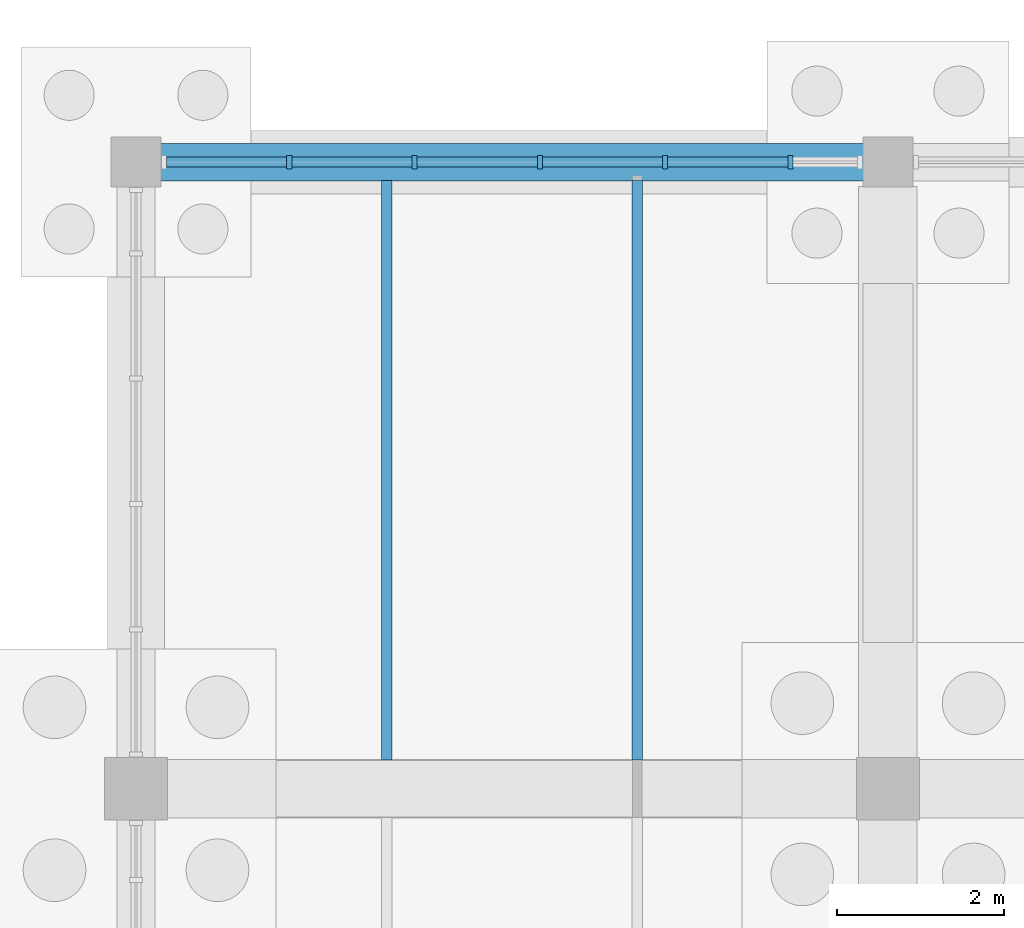
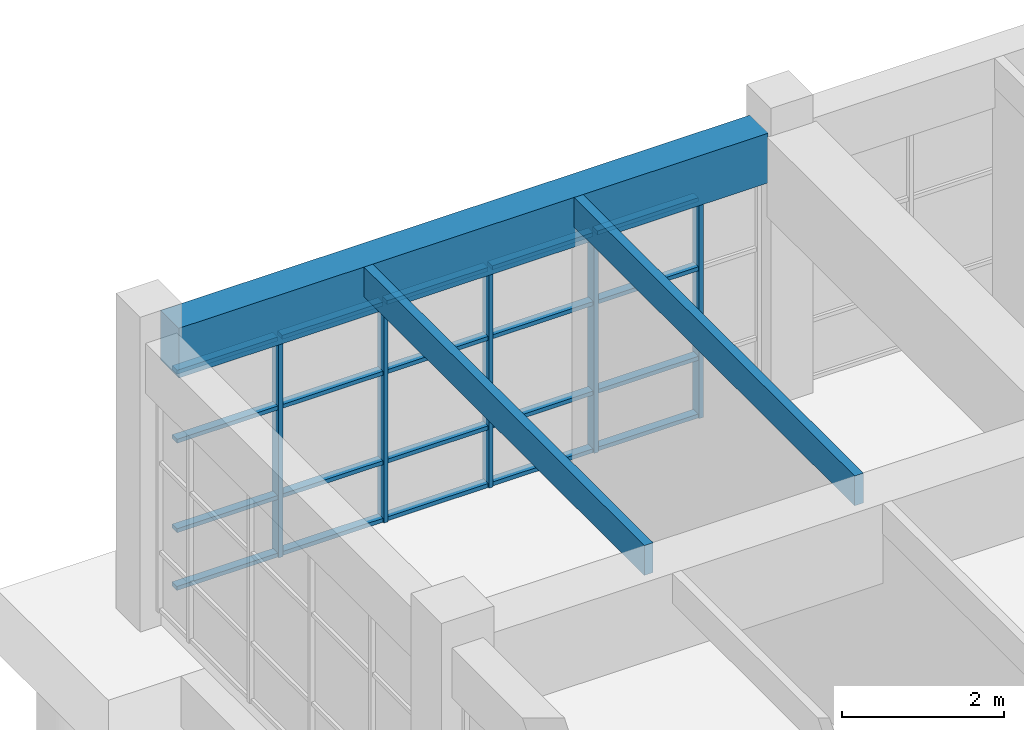
# One storey, part 32 of 93: 25 members, 3 beams, 1 element without a shape of its own.
"""IFC4 building model written with IfcOpenShell, lengths in metres."""

from ifc_helpers import new_model, si_unit, direction, frame, origin, origin_2d, place, context, subcontext, project, spatial, rectangle, extrude, material, layer, layer_set, material_profile, profile_set, type_object, element, aggregate, save


model = new_model("IFC4")

# Units and contexts
model_context = context("Model", 3, precision=1e-05, world=origin(), true_north=direction((0.0, 1.0)))
body_context = subcontext(model_context, "Body", "Model", "MODEL_VIEW")
ifc_project = project(units=[si_unit("LENGTHUNIT", "METRE"), si_unit("AREAUNIT", "SQUARE_METRE"), si_unit("VOLUMEUNIT", "CUBIC_METRE"), si_unit("PLANEANGLEUNIT", "RADIAN"), si_unit("MASSUNIT", "GRAM", prefix="KILO")], contexts=[model_context])

# Site, building, storey
site_placement = place(None, origin())
site = spatial("IfcSite", under=ifc_project, at=site_placement, CompositionType="ELEMENT")
building_placement = place(site_placement, origin())
building = spatial("IfcBuilding", under=site, at=building_placement, Name="Marnridge Secondary College", CompositionType="ELEMENT")
storey_placement = place(building_placement, origin())
storey = spatial("IfcBuildingStorey", under=building, at=storey_placement, Name="L00", CompositionType="ELEMENT", Elevation=0.0)

# Beams
ifc_material_1 = material(Name="Engineered timber LVL E13.2", Category="wood")
ifc_material_profile_1 = material_profile(ifc_material_1, rectangle(XDim=0.1259765625, YDim=0.449951171875, at=origin_2d()), Name="LVL 126x450")
ifc_profile_set_1 = profile_set([ifc_material_profile_1], Name="Engineered timber LVL E13.2")
beam_type_1 = type_object("IfcBeamType", Name="BM-LVL450-INT", PredefinedType="JOIST", material=ifc_profile_set_1)
for number, where, z_axis, x_axis, name in (
    (1, (57.0, 75.343994140625, 3.85498046875), (0.0, 1.0, 0.0), (-1.0, 0.0, 0.0), "Beam BJ-L00-0101"),
    (2, (60.0, 75.343994140625, 3.85498046875), (0.0, 1.0, 0.0), (-1.0, 0.0, 0.0), "Beam BJ-L00-0102"),
):
    element("IfcBeam", number, at=place(storey_placement, frame(where, z_axis=z_axis, x_axis=x_axis)), inside=storey, type_object=beam_type_1, Name=name, PredefinedType="JOIST", context=body_context, shape_type="SweptSolid", body=[
        extrude(rectangle(XDim=0.1259765625, YDim=0.449951171875, at=origin_2d()), origin(), (0.0, 0.0, 1.0), 6.93701171875),
    ])
ifc_material_2 = material(Name="Concrete C40/50 (AS 3600 N40, 40 MPa)", Category="concrete")
ifc_material_profile_2 = material_profile(ifc_material_2, rectangle(XDim=0.449951171875, YDim=0.75, at=origin_2d()), Name="RC 450x750")
ifc_profile_set_2 = profile_set([ifc_material_profile_2], Name="Concrete C40/50 (AS 3600 N40, 40 MPa)")
beam_type_2 = type_object("IfcBeamType", Name="BM-RC4575-EXT", PredefinedType="SPANDREL", material=ifc_profile_set_2)
beam_placement = place(storey_placement, frame((54.2939453125, 82.5, 3.705078125), z_axis=(1.0, 0.0, 0.0), x_axis=(0.0, 1.0, 0.0)))
element("IfcBeam", 3, at=beam_placement, inside=storey, type_object=beam_type_2, Name="Beam BS-L00-0051", PredefinedType="SPANDREL", context=body_context, shape_type="SweptSolid", body=[
    extrude(rectangle(XDim=0.449951171875, YDim=0.75, at=origin_2d()), origin(), (0.0, 0.0, 1.0), 8.412109375),
])

# Curtain wall, members
ifc_material_3 = material(Name="Thermally broken aluminium and low-E glazing", Category="aluminium")
ifc_layer = layer(ifc_material_3, 0.159912109375)
ifc_layer_set = layer_set([ifc_layer], Name="CW-MOD-1500")
curtain_wall_type = type_object("IfcCurtainWallType", Name="CW-MOD-1500", PredefinedType="NOTDEFINED", material=ifc_layer_set)
curtain_wall_placement = place(storey_placement, origin())
curtain_wall = element("IfcCurtainWall", 4, at=curtain_wall_placement, inside=storey, type_object=curtain_wall_type, Name="Unitised curtain wall CW-L00-001", PredefinedType="NOTDEFINED")
ifc_material_4 = material(Name="Anodised aluminium 6063-T6", Category="aluminium")
ifc_material_profile_3 = material_profile(ifc_material_4, rectangle(XDim=0.06005859375, YDim=0.159912109375, at=origin_2d()), Name="ALU 60x160")
ifc_profile_set_3 = profile_set([ifc_material_profile_3], Name="Anodised aluminium 6063-T6")
member_type_1 = type_object("IfcMemberType", Name="CWM-ALU160", PredefinedType="MULLION", material=ifc_profile_set_3)
member_1_placement = place(storey_placement, frame((55.833984375, 82.5, 0.0), z_axis=(0.0, 0.0, 1.0), x_axis=(1.0, 0.0, 0.0)))
member_1 = element("IfcMember", 5, at=member_1_placement, type_object=member_type_1, Name="CW-L00-001 mullion 2", PredefinedType="MULLION", context=body_context, shape_type="SweptSolid", body=[
    extrude(rectangle(XDim=0.06005859375, YDim=0.159912109375, at=origin_2d()), origin(), (0.0, 0.0, 1.0), 3.322021484375),
])
member_2_placement = place(storey_placement, frame((57.333984375, 82.5, 0.0), z_axis=(0.0, 0.0, 1.0), x_axis=(1.0, 0.0, 0.0)))
member_2 = element("IfcMember", 6, at=member_2_placement, type_object=member_type_1, Name="CW-L00-001 mullion 3", PredefinedType="MULLION", context=body_context, shape_type="SweptSolid", body=[
    extrude(rectangle(XDim=0.06005859375, YDim=0.159912109375, at=origin_2d()), origin(), (0.0, 0.0, 1.0), 3.322021484375),
])
member_3_placement = place(storey_placement, frame((58.833984375, 82.5, 0.0), z_axis=(0.0, 0.0, 1.0), x_axis=(1.0, 0.0, 0.0)))
member_3 = element("IfcMember", 7, at=member_3_placement, type_object=member_type_1, Name="CW-L00-001 mullion 4", PredefinedType="MULLION", context=body_context, shape_type="SweptSolid", body=[
    extrude(rectangle(XDim=0.06005859375, YDim=0.159912109375, at=origin_2d()), origin(), (0.0, 0.0, 1.0), 3.322021484375),
])
member_4_placement = place(storey_placement, frame((60.333984375, 82.5, 0.0), z_axis=(0.0, 0.0, 1.0), x_axis=(1.0, 0.0, 0.0)))
member_4 = element("IfcMember", 8, at=member_4_placement, type_object=member_type_1, Name="CW-L00-001 mullion 5", PredefinedType="MULLION", context=body_context, shape_type="SweptSolid", body=[
    extrude(rectangle(XDim=0.06005859375, YDim=0.159912109375, at=origin_2d()), origin(), (0.0, 0.0, 1.0), 3.322021484375),
])
member_5_placement = place(storey_placement, frame((61.833984375, 82.5, 0.0), z_axis=(0.0, 0.0, 1.0), x_axis=(1.0, 0.0, 0.0)))
member_5 = element("IfcMember", 9, at=member_5_placement, type_object=member_type_1, Name="CW-L00-001 mullion 6", PredefinedType="MULLION", context=body_context, shape_type="SweptSolid", body=[
    extrude(rectangle(XDim=0.06005859375, YDim=0.159912109375, at=origin_2d()), origin(), (0.0, 0.0, 1.0), 3.322021484375),
])
ifc_material_5 = material(Name="Anodised aluminium 6063-T6", Category="aluminium")
ifc_material_profile_4 = material_profile(ifc_material_5, rectangle(XDim=0.06005859375, YDim=0.1201171875, at=origin_2d()), Name="ALU 60x120")
ifc_profile_set_4 = profile_set([ifc_material_profile_4], Name="Anodised aluminium 6063-T6")
member_type_2 = type_object("IfcMemberType", Name="CWT-ALU120", PredefinedType="USERDEFINED", material=ifc_profile_set_4)
member_6_placement = place(storey_placement, frame((54.364013671875, 82.5, 0.030029296875), z_axis=(1.0, 0.0, 0.0), x_axis=(0.0, 0.0, 1.0)))
member_6 = element("IfcMember", 10, at=member_6_placement, type_object=member_type_2, Name="CW-L00-001 transom 1.1", ObjectType="TRANSOM", PredefinedType="USERDEFINED", context=body_context, shape_type="SweptSolid", body=[
    extrude(rectangle(XDim=0.06005859375, YDim=0.1201171875, at=origin_2d()), origin(), (0.0, 0.0, 1.0), 1.43994140625),
])
member_7_placement = place(storey_placement, frame((54.364013671875, 82.5, 0.89990234375), z_axis=(1.0, 0.0, 0.0), x_axis=(0.0, 0.0, 1.0)))
member_7 = element("IfcMember", 11, at=member_7_placement, type_object=member_type_2, Name="CW-L00-001 transom 1.2", ObjectType="TRANSOM", PredefinedType="USERDEFINED", context=body_context, shape_type="SweptSolid", body=[
    extrude(rectangle(XDim=0.06005859375, YDim=0.1201171875, at=origin_2d()), origin(), (0.0, 0.0, 1.0), 1.43994140625),
])
member_8_placement = place(storey_placement, frame((54.364013671875, 82.5, 2.25), z_axis=(1.0, 0.0, 0.0), x_axis=(0.0, 0.0, 1.0)))
member_8 = element("IfcMember", 12, at=member_8_placement, type_object=member_type_2, Name="CW-L00-001 transom 1.3", ObjectType="TRANSOM", PredefinedType="USERDEFINED", context=body_context, shape_type="SweptSolid", body=[
    extrude(rectangle(XDim=0.06005859375, YDim=0.1201171875, at=origin_2d()), origin(), (0.0, 0.0, 1.0), 1.43994140625),
])
member_9_placement = place(storey_placement, frame((54.364013671875, 82.5, 3.2919921875), z_axis=(1.0, 0.0, 0.0), x_axis=(0.0, 0.0, 1.0)))
member_9 = element("IfcMember", 13, at=member_9_placement, type_object=member_type_2, Name="CW-L00-001 transom 1.4", ObjectType="TRANSOM", PredefinedType="USERDEFINED", context=body_context, shape_type="SweptSolid", body=[
    extrude(rectangle(XDim=0.06005859375, YDim=0.1201171875, at=origin_2d()), origin(), (0.0, 0.0, 1.0), 1.43994140625),
])
member_10_placement = place(storey_placement, frame((55.864013671875, 82.5, 0.030029296875), z_axis=(1.0, 0.0, 0.0), x_axis=(0.0, 0.0, 1.0)))
member_10 = element("IfcMember", 14, at=member_10_placement, type_object=member_type_2, Name="CW-L00-001 transom 2.1", ObjectType="TRANSOM", PredefinedType="USERDEFINED", context=body_context, shape_type="SweptSolid", body=[
    extrude(rectangle(XDim=0.06005859375, YDim=0.1201171875, at=origin_2d()), origin(), (0.0, 0.0, 1.0), 1.43994140625),
])
member_11_placement = place(storey_placement, frame((55.864013671875, 82.5, 0.89990234375), z_axis=(1.0, 0.0, 0.0), x_axis=(0.0, 0.0, 1.0)))
member_11 = element("IfcMember", 15, at=member_11_placement, type_object=member_type_2, Name="CW-L00-001 transom 2.2", ObjectType="TRANSOM", PredefinedType="USERDEFINED", context=body_context, shape_type="SweptSolid", body=[
    extrude(rectangle(XDim=0.06005859375, YDim=0.1201171875, at=origin_2d()), origin(), (0.0, 0.0, 1.0), 1.43994140625),
])
member_12_placement = place(storey_placement, frame((55.864013671875, 82.5, 2.25), z_axis=(1.0, 0.0, 0.0), x_axis=(0.0, 0.0, 1.0)))
member_12 = element("IfcMember", 16, at=member_12_placement, type_object=member_type_2, Name="CW-L00-001 transom 2.3", ObjectType="TRANSOM", PredefinedType="USERDEFINED", context=body_context, shape_type="SweptSolid", body=[
    extrude(rectangle(XDim=0.06005859375, YDim=0.1201171875, at=origin_2d()), origin(), (0.0, 0.0, 1.0), 1.43994140625),
])
member_13_placement = place(storey_placement, frame((55.864013671875, 82.5, 3.2919921875), z_axis=(1.0, 0.0, 0.0), x_axis=(0.0, 0.0, 1.0)))
member_13 = element("IfcMember", 17, at=member_13_placement, type_object=member_type_2, Name="CW-L00-001 transom 2.4", ObjectType="TRANSOM", PredefinedType="USERDEFINED", context=body_context, shape_type="SweptSolid", body=[
    extrude(rectangle(XDim=0.06005859375, YDim=0.1201171875, at=origin_2d()), origin(), (0.0, 0.0, 1.0), 1.43994140625),
])
member_14_placement = place(storey_placement, frame((57.364013671875, 82.5, 0.030029296875), z_axis=(1.0, 0.0, 0.0), x_axis=(0.0, 0.0, 1.0)))
member_14 = element("IfcMember", 18, at=member_14_placement, type_object=member_type_2, Name="CW-L00-001 transom 3.1", ObjectType="TRANSOM", PredefinedType="USERDEFINED", context=body_context, shape_type="SweptSolid", body=[
    extrude(rectangle(XDim=0.06005859375, YDim=0.1201171875, at=origin_2d()), origin(), (0.0, 0.0, 1.0), 1.43994140625),
])
member_15_placement = place(storey_placement, frame((57.364013671875, 82.5, 0.89990234375), z_axis=(1.0, 0.0, 0.0), x_axis=(0.0, 0.0, 1.0)))
member_15 = element("IfcMember", 19, at=member_15_placement, type_object=member_type_2, Name="CW-L00-001 transom 3.2", ObjectType="TRANSOM", PredefinedType="USERDEFINED", context=body_context, shape_type="SweptSolid", body=[
    extrude(rectangle(XDim=0.06005859375, YDim=0.1201171875, at=origin_2d()), origin(), (0.0, 0.0, 1.0), 1.43994140625),
])
member_16_placement = place(storey_placement, frame((57.364013671875, 82.5, 2.25), z_axis=(1.0, 0.0, 0.0), x_axis=(0.0, 0.0, 1.0)))
member_16 = element("IfcMember", 20, at=member_16_placement, type_object=member_type_2, Name="CW-L00-001 transom 3.3", ObjectType="TRANSOM", PredefinedType="USERDEFINED", context=body_context, shape_type="SweptSolid", body=[
    extrude(rectangle(XDim=0.06005859375, YDim=0.1201171875, at=origin_2d()), origin(), (0.0, 0.0, 1.0), 1.43994140625),
])
member_17_placement = place(storey_placement, frame((57.364013671875, 82.5, 3.2919921875), z_axis=(1.0, 0.0, 0.0), x_axis=(0.0, 0.0, 1.0)))
member_17 = element("IfcMember", 21, at=member_17_placement, type_object=member_type_2, Name="CW-L00-001 transom 3.4", ObjectType="TRANSOM", PredefinedType="USERDEFINED", context=body_context, shape_type="SweptSolid", body=[
    extrude(rectangle(XDim=0.06005859375, YDim=0.1201171875, at=origin_2d()), origin(), (0.0, 0.0, 1.0), 1.43994140625),
])
member_18_placement = place(storey_placement, frame((58.864013671875, 82.5, 0.030029296875), z_axis=(1.0, 0.0, 0.0), x_axis=(0.0, 0.0, 1.0)))
member_18 = element("IfcMember", 22, at=member_18_placement, type_object=member_type_2, Name="CW-L00-001 transom 4.1", ObjectType="TRANSOM", PredefinedType="USERDEFINED", context=body_context, shape_type="SweptSolid", body=[
    extrude(rectangle(XDim=0.06005859375, YDim=0.1201171875, at=origin_2d()), origin(), (0.0, 0.0, 1.0), 1.43994140625),
])
member_19_placement = place(storey_placement, frame((58.864013671875, 82.5, 0.89990234375), z_axis=(1.0, 0.0, 0.0), x_axis=(0.0, 0.0, 1.0)))
member_19 = element("IfcMember", 23, at=member_19_placement, type_object=member_type_2, Name="CW-L00-001 transom 4.2", ObjectType="TRANSOM", PredefinedType="USERDEFINED", context=body_context, shape_type="SweptSolid", body=[
    extrude(rectangle(XDim=0.06005859375, YDim=0.1201171875, at=origin_2d()), origin(), (0.0, 0.0, 1.0), 1.43994140625),
])
member_20_placement = place(storey_placement, frame((58.864013671875, 82.5, 2.25), z_axis=(1.0, 0.0, 0.0), x_axis=(0.0, 0.0, 1.0)))
member_20 = element("IfcMember", 24, at=member_20_placement, type_object=member_type_2, Name="CW-L00-001 transom 4.3", ObjectType="TRANSOM", PredefinedType="USERDEFINED", context=body_context, shape_type="SweptSolid", body=[
    extrude(rectangle(XDim=0.06005859375, YDim=0.1201171875, at=origin_2d()), origin(), (0.0, 0.0, 1.0), 1.43994140625),
])
member_21_placement = place(storey_placement, frame((58.864013671875, 82.5, 3.2919921875), z_axis=(1.0, 0.0, 0.0), x_axis=(0.0, 0.0, 1.0)))
member_21 = element("IfcMember", 25, at=member_21_placement, type_object=member_type_2, Name="CW-L00-001 transom 4.4", ObjectType="TRANSOM", PredefinedType="USERDEFINED", context=body_context, shape_type="SweptSolid", body=[
    extrude(rectangle(XDim=0.06005859375, YDim=0.1201171875, at=origin_2d()), origin(), (0.0, 0.0, 1.0), 1.43994140625),
])
member_22_placement = place(storey_placement, frame((60.364013671875, 82.5, 0.030029296875), z_axis=(1.0, 0.0, 0.0), x_axis=(0.0, 0.0, 1.0)))
member_22 = element("IfcMember", 26, at=member_22_placement, type_object=member_type_2, Name="CW-L00-001 transom 5.1", ObjectType="TRANSOM", PredefinedType="USERDEFINED", context=body_context, shape_type="SweptSolid", body=[
    extrude(rectangle(XDim=0.06005859375, YDim=0.1201171875, at=origin_2d()), origin(), (0.0, 0.0, 1.0), 1.43994140625),
])
member_23_placement = place(storey_placement, frame((60.364013671875, 82.5, 0.89990234375), z_axis=(1.0, 0.0, 0.0), x_axis=(0.0, 0.0, 1.0)))
member_23 = element("IfcMember", 27, at=member_23_placement, type_object=member_type_2, Name="CW-L00-001 transom 5.2", ObjectType="TRANSOM", PredefinedType="USERDEFINED", context=body_context, shape_type="SweptSolid", body=[
    extrude(rectangle(XDim=0.06005859375, YDim=0.1201171875, at=origin_2d()), origin(), (0.0, 0.0, 1.0), 1.43994140625),
])
member_24_placement = place(storey_placement, frame((60.364013671875, 82.5, 2.25), z_axis=(1.0, 0.0, 0.0), x_axis=(0.0, 0.0, 1.0)))
member_24 = element("IfcMember", 28, at=member_24_placement, type_object=member_type_2, Name="CW-L00-001 transom 5.3", ObjectType="TRANSOM", PredefinedType="USERDEFINED", context=body_context, shape_type="SweptSolid", body=[
    extrude(rectangle(XDim=0.06005859375, YDim=0.1201171875, at=origin_2d()), origin(), (0.0, 0.0, 1.0), 1.43994140625),
])
member_25_placement = place(storey_placement, frame((60.364013671875, 82.5, 3.2919921875), z_axis=(1.0, 0.0, 0.0), x_axis=(0.0, 0.0, 1.0)))
member_25 = element("IfcMember", 29, at=member_25_placement, type_object=member_type_2, Name="CW-L00-001 transom 5.4", ObjectType="TRANSOM", PredefinedType="USERDEFINED", context=body_context, shape_type="SweptSolid", body=[
    extrude(rectangle(XDim=0.06005859375, YDim=0.1201171875, at=origin_2d()), origin(), (0.0, 0.0, 1.0), 1.43994140625),
])
aggregate(curtain_wall, [member_1, member_2, member_3, member_4, member_5, member_6, member_7, member_8, member_9, member_10, member_11, member_12, member_13, member_14, member_15, member_16, member_17, member_18, member_19, member_20, member_21, member_22, member_23, member_24, member_25])

save(model, "model.ifc")
